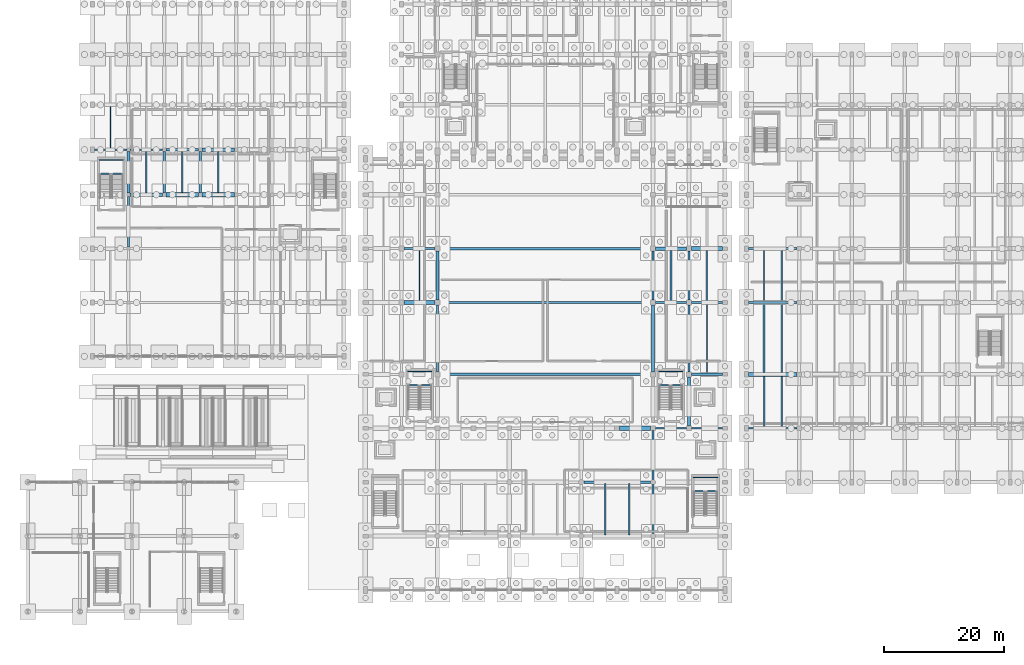
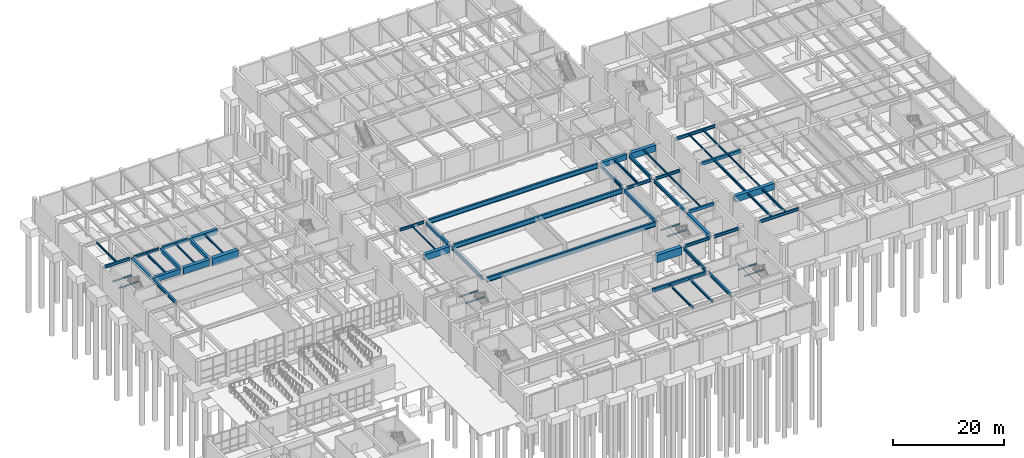
# One storey, part 36 of 69: 62 beams.
"""IFC4 building model written with IfcOpenShell, lengths in metres."""

from ifc_helpers import new_model, si_unit, direction, frame, origin, origin_2d, place, context, subcontext, project, spatial, rectangle, i_section, extrude, material, material_profile, profile_set, type_object, element, save


model = new_model("IFC4")

# Units and contexts
model_context = context("Model", 3, precision=1e-05, world=origin(), true_north=direction((0.0, 1.0)))
body_context = subcontext(model_context, "Body", "Model", "MODEL_VIEW")
ifc_project = project(units=[si_unit("LENGTHUNIT", "METRE"), si_unit("AREAUNIT", "SQUARE_METRE"), si_unit("VOLUMEUNIT", "CUBIC_METRE"), si_unit("PLANEANGLEUNIT", "RADIAN"), si_unit("MASSUNIT", "GRAM", prefix="KILO")], contexts=[model_context])

# Site, building, storey
site_placement = place(None, origin())
site = spatial("IfcSite", under=ifc_project, at=site_placement, CompositionType="ELEMENT")
building_placement = place(site_placement, origin())
building = spatial("IfcBuilding", under=site, at=building_placement, Name="Vaelkrest Opera House", CompositionType="ELEMENT")
storey_placement = place(building_placement, frame((0.0, 0.0, -5.39990234375)))
storey = spatial("IfcBuildingStorey", under=building, at=storey_placement, Name="B1", CompositionType="ELEMENT", Elevation=-5.39990234375)

# Beams
ifc_material_1 = material(Name="Concrete C50/60", Category="concrete")
ifc_material_profile_1 = material_profile(ifc_material_1, rectangle(XDim=0.39990234375, YDim=0.64990234375, at=origin_2d()), Name="RCB400X650")
ifc_profile_set_1 = profile_set([ifc_material_profile_1], Name="Concrete C50/60")
beam_type_1 = type_object("IfcBeamType", Name="B01", PredefinedType="BEAM", material=ifc_profile_set_1)
beam_1_placement = place(storey_placement, frame((24.39990234375, -19.800048828125, 4.73486328125), z_axis=(1.0, 0.0, 0.0), x_axis=(0.0, 1.0, 0.0)))
element("IfcBeam", 1, at=beam_1_placement, inside=storey, type_object=beam_type_1, Name="Beam BM-V1-B1-0021", PredefinedType="BEAM", context=body_context, shape_type="SweptSolid", body=[
    extrude(rectangle(XDim=0.39990234375, YDim=0.64990234375, at=origin_2d()), origin(), (0.0, 0.0, 1.0), 5.150146484375),
])
beam_2_placement = place(storey_placement, frame((-63.324951171875, 17.699951171875, 4.7548828125), z_axis=(1.0, 0.0, 0.0), x_axis=(0.0, 1.0, 0.0)))
element("IfcBeam", 2, at=beam_2_placement, inside=storey, type_object=beam_type_1, Name="Beam BM-V3-B1-1301", PredefinedType="BEAM", context=body_context, shape_type="SweptSolid", body=[
    extrude(rectangle(XDim=0.39990234375, YDim=0.64990234375, at=origin_2d()), origin(), (0.0, 0.0, 1.0), 5.449951171875),
])
beam_3_placement = place(storey_placement, frame((33.89990234375, -7.800048828125, 4.679931640625), z_axis=(1.0, 0.0, 0.0), x_axis=(0.0, 1.0, 0.0)))
element("IfcBeam", 3, at=beam_3_placement, inside=storey, type_object=beam_type_1, Name="Beam BM-V4-B1-1837", PredefinedType="BEAM", context=body_context, shape_type="SweptSolid", body=[
    extrude(rectangle(XDim=0.39990234375, YDim=0.64990234375, at=origin_2d()), origin(), (0.0, 0.0, 1.0), 8.150146484375),
])
ifc_material_profile_2 = material_profile(ifc_material_1, rectangle(XDim=0.449951171875, YDim=0.75, at=origin_2d()), Name="RCB450X750")
ifc_profile_set_2 = profile_set([ifc_material_profile_2], Name="Concrete C50/60")
beam_type_2 = type_object("IfcBeamType", Name="B02", PredefinedType="BEAM", material=ifc_profile_set_2)
beam_4_placement = place(storey_placement, frame((-18.0, -7.39990234375, 4.684814453125), z_axis=(0.0, 1.0, 0.0), x_axis=(-1.0, 0.0, 0.0)))
element("IfcBeam", 4, at=beam_4_placement, inside=storey, type_object=beam_type_2, Name="Beam BM-V1-B1-0047", PredefinedType="BEAM", context=body_context, shape_type="SweptSolid", body=[
    extrude(rectangle(XDim=0.449951171875, YDim=0.75, at=origin_2d()), origin(), (0.0, 0.0, 1.0), 8.199951171875),
])
for number, where, z_axis, x_axis, name in (
    (5, (-69.60009765625, 10.47509765625, 4.704833984375), (0.0, 1.0, 0.0), (-1.0, 0.0, 0.0), "Beam BM-V3-B1-1323"),
    (6, (-63.60009765625, 10.47509765625, 4.704833984375), (0.0, 1.0, 0.0), (-1.0, 0.0, 0.0), "Beam BM-V3-B1-1327"),
    (7, (-57.60009765625, 10.47509765625, 4.704833984375), (0.0, 1.0, 0.0), (-1.0, 0.0, 0.0), "Beam BM-V3-B1-1331"),
):
    element("IfcBeam", number, at=place(storey_placement, frame(where, z_axis=z_axis, x_axis=x_axis)), inside=storey, type_object=beam_type_2, Name=name, PredefinedType="BEAM", context=body_context, shape_type="SweptSolid", body=[
        extrude(rectangle(XDim=0.449951171875, YDim=0.75, at=origin_2d()), origin(), (0.0, 0.0, 1.0), 6.949951171875),
    ])
ifc_material_profile_3 = material_profile(ifc_material_1, rectangle(XDim=0.5, YDim=0.85009765625, at=origin_2d()), Name="RCB500X850")
ifc_profile_set_3 = profile_set([ifc_material_profile_3], Name="Concrete C50/60")
beam_type_3 = type_object("IfcBeamType", Name="B03", PredefinedType="BEAM", material=ifc_profile_set_3)
beam_5_placement = place(storey_placement, frame((18.0, -19.39990234375, 4.635009765625), z_axis=(0.0, 1.0, 0.0), x_axis=(-1.0, 0.0, 0.0)))
element("IfcBeam", 8, at=beam_5_placement, inside=storey, type_object=beam_type_3, Name="Beam BM-V1-B1-0060", PredefinedType="BEAM", context=body_context, shape_type="SweptSolid", body=[
    extrude(rectangle(XDim=0.5, YDim=0.85009765625, at=origin_2d()), origin(), (0.0, 0.0, 1.0), 11.199951171875),
])
beam_6_placement = place(storey_placement, frame((24.0, -28.39990234375, 4.635009765625), z_axis=(0.0, 1.0, 0.0), x_axis=(-1.0, 0.0, 0.0)))
element("IfcBeam", 9, at=beam_6_placement, inside=storey, type_object=beam_type_3, Name="Beam BM-V1-B1-0064", PredefinedType="BEAM", context=body_context, shape_type="SweptSolid", body=[
    extrude(rectangle(XDim=0.5, YDim=0.85009765625, at=origin_2d()), origin(), (0.0, 0.0, 1.0), 8.199951171875),
])
ifc_material_profile_4 = material_profile(ifc_material_1, rectangle(XDim=0.60009765625, YDim=1.10009765625, at=origin_2d()), Name="RCB600X1100")
ifc_profile_set_4 = profile_set([ifc_material_profile_4], Name="Concrete C50/60")
beam_type_4 = type_object("IfcBeamType", Name="B05", PredefinedType="BEAM", material=ifc_profile_set_4)
beam_7_placement = place(storey_placement, frame((18.39990234375, 1.199951171875, 4.510009765625), z_axis=(1.0, 0.0, 0.0), x_axis=(0.0, 1.0, 0.0)))
element("IfcBeam", 10, at=beam_7_placement, inside=storey, type_object=beam_type_4, Name="Beam BM-V1-B1-0030", PredefinedType="BEAM", context=body_context, shape_type="SweptSolid", body=[
    extrude(rectangle(XDim=0.60009765625, YDim=1.10009765625, at=origin_2d()), origin(), (0.0, 0.0, 1.0), 5.2001953125),
])
for number, where, z_axis, x_axis, name in (
    (11, (-69.324951171875, 10.199951171875, 4.52978515625), (1.0, 0.0, 0.0), (0.0, 1.0, 0.0), "Beam BM-V3-B1-1294"),
    (12, (-57.324951171875, 17.699951171875, 4.52978515625), (1.0, 0.0, 0.0), (0.0, 1.0, 0.0), "Beam BM-V3-B1-1302"),
):
    element("IfcBeam", number, at=place(storey_placement, frame(where, z_axis=z_axis, x_axis=x_axis)), inside=storey, type_object=beam_type_4, Name=name, PredefinedType="BEAM", context=body_context, shape_type="SweptSolid", body=[
        extrude(rectangle(XDim=0.60009765625, YDim=1.10009765625, at=origin_2d()), origin(), (0.0, 0.0, 1.0), 5.449951171875),
    ])
ifc_material_profile_5 = material_profile(ifc_material_1, rectangle(XDim=0.699951171875, YDim=1.35009765625, at=origin_2d()), Name="RCB700X1350")
ifc_profile_set_5 = profile_set([ifc_material_profile_5], Name="Concrete C50/60")
beam_type_5 = type_object("IfcBeamType", Name="B06", PredefinedType="BEAM", material=ifc_profile_set_5)
beam_8_placement = place(storey_placement, frame((-23.60009765625, -7.800048828125, 4.385009765625), z_axis=(1.0, 0.0, 0.0), x_axis=(0.0, 1.0, 0.0)))
element("IfcBeam", 13, at=beam_8_placement, inside=storey, type_object=beam_type_5, Name="Beam BM-V1-B1-0023", PredefinedType="BEAM", context=body_context, shape_type="SweptSolid", body=[
    extrude(rectangle(XDim=0.699951171875, YDim=1.35009765625, at=origin_2d()), origin(), (0.0, 0.0, 1.0), 5.2001953125),
])
beam_9_placement = place(storey_placement, frame((24.39990234375, 1.199951171875, 4.385009765625), z_axis=(1.0, 0.0, 0.0), x_axis=(0.0, 1.0, 0.0)))
element("IfcBeam", 14, at=beam_9_placement, inside=storey, type_object=beam_type_5, Name="Beam BM-V1-B1-0031", PredefinedType="BEAM", context=body_context, shape_type="SweptSolid", body=[
    extrude(rectangle(XDim=0.699951171875, YDim=1.35009765625, at=origin_2d()), origin(), (0.0, 0.0, 1.0), 5.150146484375),
])
beam_10_placement = place(storey_placement, frame((-63.324951171875, 10.199951171875, 4.40478515625), z_axis=(1.0, 0.0, 0.0), x_axis=(0.0, 1.0, 0.0)))
element("IfcBeam", 15, at=beam_10_placement, inside=storey, type_object=beam_type_5, Name="Beam BM-V3-B1-1295", PredefinedType="BEAM", context=body_context, shape_type="SweptSolid", body=[
    extrude(rectangle(XDim=0.699951171875, YDim=1.35009765625, at=origin_2d()), origin(), (0.0, 0.0, 1.0), 5.449951171875),
])
beam_11_placement = place(storey_placement, frame((33.89990234375, -19.800048828125, 4.329833984375), z_axis=(1.0, 0.0, 0.0), x_axis=(0.0, 1.0, 0.0)))
element("IfcBeam", 16, at=beam_11_placement, inside=storey, type_object=beam_type_5, Name="Beam BM-V4-B1-1831", PredefinedType="BEAM", context=body_context, shape_type="SweptSolid", body=[
    extrude(rectangle(XDim=0.699951171875, YDim=1.35009765625, at=origin_2d()), origin(), (0.0, 0.0, 1.0), 8.150146484375),
])
ifc_material_profile_6 = material_profile(ifc_material_1, rectangle(XDim=0.800048828125, YDim=1.64990234375, at=origin_2d()), Name="RCB800X1650")
ifc_profile_set_6 = profile_set([ifc_material_profile_6], Name="Concrete C50/60")
beam_type_6 = type_object("IfcBeamType", Name="B07", PredefinedType="BEAM", material=ifc_profile_set_6)
beam_12_placement = place(storey_placement, frame((12.39990234375, -28.800048828125, 4.23486328125), z_axis=(1.0, 0.0, 0.0), x_axis=(0.0, 1.0, 0.0)))
element("IfcBeam", 17, at=beam_12_placement, inside=storey, type_object=beam_type_6, Name="Beam BM-V1-B1-0016", PredefinedType="BEAM", context=body_context, shape_type="SweptSolid", body=[
    extrude(rectangle(XDim=0.800048828125, YDim=1.64990234375, at=origin_2d()), origin(), (0.0, 0.0, 1.0), 5.2001953125),
])
beam_13_placement = place(storey_placement, frame((-57.324951171875, 10.199951171875, 4.2548828125), z_axis=(1.0, 0.0, 0.0), x_axis=(0.0, 1.0, 0.0)))
element("IfcBeam", 18, at=beam_13_placement, inside=storey, type_object=beam_type_6, Name="Beam BM-V3-B1-1296", PredefinedType="BEAM", context=body_context, shape_type="SweptSolid", body=[
    extrude(rectangle(XDim=0.800048828125, YDim=1.64990234375, at=origin_2d()), origin(), (0.0, 0.0, 1.0), 5.449951171875),
])
ifc_material_2 = material(Name="Steel A992 Gr50", Category="steel")
ifc_material_profile_7 = material_profile(ifc_material_2, i_section(OverallWidth=0.323974609375, OverallDepth=0.611083984375, WebThickness=0.0126953125, FlangeThickness=0.01904296875, at=origin_2d()), Name="W24X104")
ifc_profile_set_7 = profile_set([ifc_material_profile_7], Name="Steel A992 Gr50")
beam_type_7 = type_object("IfcBeamType", Name="B08", PredefinedType="BEAM", material=ifc_profile_set_7)
for number, where, z_axis, x_axis, name in (
    (19, (18.39990234375, -28.800048828125, 4.75439453125), (1.0, 0.0, 0.0), (0.0, 1.0, 0.0), "Beam BM-V1-B1-0017"),
    (20, (18.39990234375, -7.800048828125, 4.75439453125), (1.0, 0.0, 0.0), (0.0, 1.0, 0.0), "Beam BM-V1-B1-0025"),
):
    element("IfcBeam", number, at=place(storey_placement, frame(where, z_axis=z_axis, x_axis=x_axis)), inside=storey, type_object=beam_type_7, Name=name, PredefinedType="BEAM", context=body_context, shape_type="SweptSolid", body=[
        extrude(i_section(OverallWidth=0.323974609375, OverallDepth=0.611083984375, WebThickness=0.0126953125, FlangeThickness=0.01904296875, at=origin_2d()), origin(), (0.0, 0.0, 1.0), 5.2001953125),
    ])
beam_14_placement = place(storey_placement, frame((33.89990234375, -28.800048828125, 4.699462890625), z_axis=(1.0, 0.0, 0.0), x_axis=(0.0, 1.0, 0.0)))
element("IfcBeam", 21, at=beam_14_placement, inside=storey, type_object=beam_type_7, Name="Beam BM-V4-B1-1825", PredefinedType="BEAM", context=body_context, shape_type="SweptSolid", body=[
    extrude(i_section(OverallWidth=0.323974609375, OverallDepth=0.611083984375, WebThickness=0.0126953125, FlangeThickness=0.01904296875, at=origin_2d()), origin(), (0.0, 0.0, 1.0), 8.150146484375),
])
ifc_material_profile_8 = material_profile(ifc_material_2, i_section(OverallWidth=0.327880859375, OverallDepth=0.6279296875, WebThickness=0.0166015625, FlangeThickness=0.027587890625, at=origin_2d()), Name="W24X146")
ifc_profile_set_8 = profile_set([ifc_material_profile_8], Name="Steel A992 Gr50")
beam_type_8 = type_object("IfcBeamType", Name="B09", PredefinedType="BEAM", material=ifc_profile_set_8)
for number, where, z_axis, x_axis, name in (
    (22, (24.39990234375, -28.800048828125, 4.745849609375), (1.0, 0.0, 0.0), (0.0, 1.0, 0.0), "Beam BM-V1-B1-0018"),
    (23, (24.39990234375, -7.800048828125, 4.745849609375), (1.0, 0.0, 0.0), (0.0, 1.0, 0.0), "Beam BM-V1-B1-0026"),
):
    element("IfcBeam", number, at=place(storey_placement, frame(where, z_axis=z_axis, x_axis=x_axis)), inside=storey, type_object=beam_type_8, Name=name, PredefinedType="BEAM", context=body_context, shape_type="SweptSolid", body=[
        extrude(i_section(OverallWidth=0.327880859375, OverallDepth=0.6279296875, WebThickness=0.0166015625, FlangeThickness=0.027587890625, at=origin_2d()), origin(), (0.0, 0.0, 1.0), 5.150146484375),
    ])
ifc_material_profile_9 = material_profile(ifc_material_2, i_section(OverallWidth=0.35498046875, OverallDepth=0.695068359375, WebThickness=0.015380859375, FlangeThickness=0.02490234375, at=origin_2d()), Name="W27X146")
ifc_profile_set_9 = profile_set([ifc_material_profile_9], Name="Steel A992 Gr50")
beam_type_9 = type_object("IfcBeamType", Name="B10", PredefinedType="BEAM", material=ifc_profile_set_9)
beam_15_placement = place(storey_placement, frame((18.0, -46.375, 4.71240234375), z_axis=(0.0, 1.0, 0.0), x_axis=(-1.0, 0.0, 0.0)))
element("IfcBeam", 24, at=beam_15_placement, inside=storey, type_object=beam_type_9, Name="Beam BM-V1-B1-0057", PredefinedType="BEAM", context=body_context, shape_type="SweptSolid", body=[
    extrude(i_section(OverallWidth=0.35498046875, OverallDepth=0.695068359375, WebThickness=0.015380859375, FlangeThickness=0.02490234375, at=origin_2d()), origin(), (0.0, 0.0, 1.0), 8.14990234375),
])
beam_16_placement = place(storey_placement, frame((18.0, -7.39990234375, 4.71240234375), z_axis=(0.0, 1.0, 0.0), x_axis=(-1.0, 0.0, 0.0)))
element("IfcBeam", 25, at=beam_16_placement, inside=storey, type_object=beam_type_9, Name="Beam BM-V1-B1-0061", PredefinedType="BEAM", context=body_context, shape_type="SweptSolid", body=[
    extrude(i_section(OverallWidth=0.35498046875, OverallDepth=0.695068359375, WebThickness=0.015380859375, FlangeThickness=0.02490234375, at=origin_2d()), origin(), (0.0, 0.0, 1.0), 8.199951171875),
])
beam_17_placement = place(storey_placement, frame((24.0, -19.39990234375, 4.71240234375), z_axis=(0.0, 1.0, 0.0), x_axis=(-1.0, 0.0, 0.0)))
element("IfcBeam", 26, at=beam_17_placement, inside=storey, type_object=beam_type_9, Name="Beam BM-V1-B1-0065", PredefinedType="BEAM", context=body_context, shape_type="SweptSolid", body=[
    extrude(i_section(OverallWidth=0.35498046875, OverallDepth=0.695068359375, WebThickness=0.015380859375, FlangeThickness=0.02490234375, at=origin_2d()), origin(), (0.0, 0.0, 1.0), 11.199951171875),
])
ifc_material_profile_10 = material_profile(ifc_material_2, i_section(OverallWidth=0.35791015625, OverallDepth=0.7060546875, WebThickness=0.018310546875, FlangeThickness=0.0302734375, at=origin_2d()), Name="W27X178")
ifc_profile_set_10 = profile_set([ifc_material_profile_10], Name="Steel A992 Gr50")
beam_type_10 = type_object("IfcBeamType", Name="B14", PredefinedType="BEAM", material=ifc_profile_set_10)
beam_18_placement = place(storey_placement, frame((-18.0, -19.39990234375, 4.706787109375), z_axis=(0.0, 1.0, 0.0), x_axis=(-1.0, 0.0, 0.0)))
element("IfcBeam", 27, at=beam_18_placement, inside=storey, type_object=beam_type_10, Name="Beam BM-V1-B1-0046", PredefinedType="BEAM", context=body_context, shape_type="SweptSolid", body=[
    extrude(i_section(OverallWidth=0.35791015625, OverallDepth=0.7060546875, WebThickness=0.018310546875, FlangeThickness=0.0302734375, at=origin_2d()), origin(), (0.0, 0.0, 1.0), 11.199951171875),
])
beam_19_placement = place(storey_placement, frame((18.0, -37.375, 4.706787109375), z_axis=(0.0, 1.0, 0.0), x_axis=(-1.0, 0.0, 0.0)))
element("IfcBeam", 28, at=beam_19_placement, inside=storey, type_object=beam_type_10, Name="Beam BM-V1-B1-0058", PredefinedType="BEAM", context=body_context, shape_type="SweptSolid", body=[
    extrude(i_section(OverallWidth=0.35791015625, OverallDepth=0.7060546875, WebThickness=0.018310546875, FlangeThickness=0.0302734375, at=origin_2d()), origin(), (0.0, 0.0, 1.0), 8.175048828125),
])
beam_20_placement = place(storey_placement, frame((24.0, -7.39990234375, 4.706787109375), z_axis=(0.0, 1.0, 0.0), x_axis=(-1.0, 0.0, 0.0)))
element("IfcBeam", 29, at=beam_20_placement, inside=storey, type_object=beam_type_10, Name="Beam BM-V1-B1-0066", PredefinedType="BEAM", context=body_context, shape_type="SweptSolid", body=[
    extrude(i_section(OverallWidth=0.35791015625, OverallDepth=0.7060546875, WebThickness=0.018310546875, FlangeThickness=0.0302734375, at=origin_2d()), origin(), (0.0, 0.0, 1.0), 8.199951171875),
])
beam_21_placement = place(storey_placement, frame((-69.60009765625, 1.47509765625, 4.726806640625), z_axis=(0.0, 1.0, 0.0), x_axis=(-1.0, 0.0, 0.0)))
element("IfcBeam", 30, at=beam_21_placement, inside=storey, type_object=beam_type_10, Name="Beam BM-V3-B1-1322", PredefinedType="BEAM", context=body_context, shape_type="SweptSolid", body=[
    extrude(i_section(OverallWidth=0.35791015625, OverallDepth=0.7060546875, WebThickness=0.018310546875, FlangeThickness=0.0302734375, at=origin_2d()), origin(), (0.0, 0.0, 1.0), 8.449951171875),
])
ifc_material_profile_11 = material_profile(ifc_material_2, i_section(OverallWidth=0.39990234375, OverallDepth=1.02197265625, WebThickness=0.01904296875, FlangeThickness=0.0361328125, at=origin_2d()), Name="W40X249")
ifc_profile_set_11 = profile_set([ifc_material_profile_11], Name="Steel A992 Gr50")
beam_type_11 = type_object("IfcBeamType", Name="B15", PredefinedType="BEAM", material=ifc_profile_set_11)
for number, where, z_axis, x_axis, name in (
    (31, (-17.60009765625, -19.800048828125, 4.548828125), (1.0, 0.0, 0.0), (0.0, 1.0, 0.0), "Beam BM-V1-B1-0020"),
    (32, (-17.60009765625, -7.800048828125, 4.548828125), (1.0, 0.0, 0.0), (0.0, 1.0, 0.0), "Beam BM-V1-B1-0024"),
    (33, (-17.60009765625, 1.199951171875, 4.548828125), (1.0, 0.0, 0.0), (0.0, 1.0, 0.0), "Beam BM-V1-B1-0029"),
):
    element("IfcBeam", number, at=place(storey_placement, frame(where, z_axis=z_axis, x_axis=x_axis)), inside=storey, type_object=beam_type_11, Name=name, PredefinedType="BEAM", context=body_context, shape_type="SweptSolid", body=[
        extrude(i_section(OverallWidth=0.39990234375, OverallDepth=1.02197265625, WebThickness=0.01904296875, FlangeThickness=0.0361328125, at=origin_2d()), origin(), (0.0, 0.0, 1.0), 35.2001953125),
    ])
ifc_material_profile_12 = material_profile(ifc_material_2, i_section(OverallWidth=0.384033203125, OverallDepth=0.785888671875, WebThickness=0.019775390625, FlangeThickness=0.033447265625, at=origin_2d()), Name="W30X211")
ifc_profile_set_12 = profile_set([ifc_material_profile_12], Name="Steel A992 Gr50")
beam_type_12 = type_object("IfcBeamType", Name="B16", PredefinedType="BEAM", material=ifc_profile_set_12)
beam_22_placement = place(storey_placement, frame((6.425048828125, -37.800048828125, 4.6669921875), z_axis=(1.0, 0.0, 0.0), x_axis=(0.0, 1.0, 0.0)))
element("IfcBeam", 34, at=beam_22_placement, inside=storey, type_object=beam_type_12, Name="Beam BM-V1-B1-0008", PredefinedType="BEAM", context=body_context, shape_type="SweptSolid", body=[
    extrude(i_section(OverallWidth=0.384033203125, OverallDepth=0.785888671875, WebThickness=0.019775390625, FlangeThickness=0.033447265625, at=origin_2d()), origin(), (0.0, 0.0, 1.0), 11.14990234375),
])
ifc_material_profile_13 = material_profile(ifc_material_2, i_section(OverallWidth=0.326904296875, OverallDepth=0.6220703125, WebThickness=0.015380859375, FlangeThickness=0.0244140625, at=origin_2d()), Name="W24X131")
ifc_profile_set_13 = profile_set([ifc_material_profile_13], Name="Steel A992 Gr50")
beam_type_13 = type_object("IfcBeamType", Name="B19", PredefinedType="BEAM", material=ifc_profile_set_13)
beam_23_placement = place(storey_placement, frame((-75.300048828125, 17.699951171875, 4.768798828125), z_axis=(1.0, 0.0, 0.0), x_axis=(0.0, 1.0, 0.0)))
element("IfcBeam", 35, at=beam_23_placement, inside=storey, type_object=beam_type_13, Name="Beam BM-V3-B1-1299", PredefinedType="BEAM", context=body_context, shape_type="SweptSolid", body=[
    extrude(i_section(OverallWidth=0.326904296875, OverallDepth=0.6220703125, WebThickness=0.015380859375, FlangeThickness=0.0244140625, at=origin_2d()), origin(), (0.0, 0.0, 1.0), 5.425048828125),
])
beam_24_placement = place(storey_placement, frame((33.89990234375, 1.199951171875, 4.69384765625), z_axis=(1.0, 0.0, 0.0), x_axis=(0.0, 1.0, 0.0)))
element("IfcBeam", 36, at=beam_24_placement, inside=storey, type_object=beam_type_13, Name="Beam BM-V4-B1-1843", PredefinedType="BEAM", context=body_context, shape_type="SweptSolid", body=[
    extrude(i_section(OverallWidth=0.326904296875, OverallDepth=0.6220703125, WebThickness=0.015380859375, FlangeThickness=0.0244140625, at=origin_2d()), origin(), (0.0, 0.0, 1.0), 8.150146484375),
])
ifc_material_profile_14 = material_profile(ifc_material_2, i_section(OverallWidth=0.31494140625, OverallDepth=0.551025390625, WebThickness=0.01513671875, FlangeThickness=0.0244140625, at=origin_2d()), Name="W21X122")
ifc_profile_set_14 = profile_set([ifc_material_profile_14], Name="Steel A992 Gr50")
beam_type_14 = type_object("IfcBeamType", Name="B20", PredefinedType="BEAM", material=ifc_profile_set_14)
beam_25_placement = place(storey_placement, frame((-23.60009765625, 1.199951171875, 4.784423828125), z_axis=(1.0, 0.0, 0.0), x_axis=(0.0, 1.0, 0.0)))
element("IfcBeam", 37, at=beam_25_placement, inside=storey, type_object=beam_type_14, Name="Beam BM-V1-B1-0028", PredefinedType="BEAM", context=body_context, shape_type="SweptSolid", body=[
    extrude(i_section(OverallWidth=0.31494140625, OverallDepth=0.551025390625, WebThickness=0.01513671875, FlangeThickness=0.0244140625, at=origin_2d()), origin(), (0.0, 0.0, 1.0), 5.2001953125),
])
beam_26_placement = place(storey_placement, frame((-69.324951171875, 17.699951171875, 4.804443359375), z_axis=(1.0, 0.0, 0.0), x_axis=(0.0, 1.0, 0.0)))
element("IfcBeam", 38, at=beam_26_placement, inside=storey, type_object=beam_type_14, Name="Beam BM-V3-B1-1300", PredefinedType="BEAM", context=body_context, shape_type="SweptSolid", body=[
    extrude(i_section(OverallWidth=0.31494140625, OverallDepth=0.551025390625, WebThickness=0.01513671875, FlangeThickness=0.0244140625, at=origin_2d()), origin(), (0.0, 0.0, 1.0), 5.449951171875),
])
ifc_material_profile_15 = material_profile(ifc_material_2, i_section(OverallWidth=0.2041015625, OverallDepth=0.257080078125, WebThickness=0.0087890625, FlangeThickness=0.015625, at=origin_2d()), Name="W10X45")
ifc_profile_set_15 = profile_set([ifc_material_profile_15], Name="Steel A992 Gr50")
beam_type_15 = type_object("IfcBeamType", Name="J01", PredefinedType="JOIST", material=ifc_profile_set_15)
beam_27_placement = place(storey_placement, frame((39.467041015625, -19.449951171875, 4.87646484375), z_axis=(0.0, 1.0, 0.0), x_axis=(-1.0, 0.0, 0.0)))
element("IfcBeam", 39, at=beam_27_placement, inside=storey, type_object=beam_type_15, Name="Floor joist JST-V4-B1-1901", PredefinedType="JOIST", context=body_context, shape_type="SweptSolid", body=[
    extrude(i_section(OverallWidth=0.2041015625, OverallDepth=0.257080078125, WebThickness=0.0087890625, FlangeThickness=0.015625, at=origin_2d()), origin(), (0.0, 0.0, 1.0), 11.449951171875),
])
ifc_material_profile_16 = material_profile(ifc_material_2, i_section(OverallWidth=0.202880859375, OverallDepth=0.302978515625, WebThickness=0.007568359375, FlangeThickness=0.01318359375, at=origin_2d()), Name="W12X40")
ifc_profile_set_16 = profile_set([ifc_material_profile_16], Name="Steel A992 Gr50")
beam_type_16 = type_object("IfcBeamType", Name="J02", PredefinedType="JOIST", material=ifc_profile_set_16)
beam_28_placement = place(storey_placement, frame((-21.0, -7.449951171875, 4.908447265625), z_axis=(0.0, 1.0, 0.0), x_axis=(-1.0, 0.0, 0.0)))
element("IfcBeam", 40, at=beam_28_placement, inside=storey, type_object=beam_type_16, Name="Floor joist JST-V1-B1-0072", PredefinedType="JOIST", context=body_context, shape_type="SweptSolid", body=[
    extrude(i_section(OverallWidth=0.202880859375, OverallDepth=0.302978515625, WebThickness=0.007568359375, FlangeThickness=0.01318359375, at=origin_2d()), origin(), (0.0, 0.0, 1.0), 8.492431640625),
])
beam_29_placement = place(storey_placement, frame((27.0, -19.60009765625, 4.908447265625), z_axis=(0.0, 1.0, 0.0), x_axis=(-1.0, 0.0, 0.0)))
element("IfcBeam", 41, at=beam_29_placement, inside=storey, type_object=beam_type_16, Name="Floor joist JST-V1-B1-0082", PredefinedType="JOIST", context=body_context, shape_type="SweptSolid", body=[
    extrude(i_section(OverallWidth=0.202880859375, OverallDepth=0.302978515625, WebThickness=0.007568359375, FlangeThickness=0.01318359375, at=origin_2d()), origin(), (0.0, 0.0, 1.0), 11.635986328125),
])
beam_30_placement = place(storey_placement, frame((-60.60009765625, 10.550048828125, 4.928466796875), z_axis=(0.0, 1.0, 0.0), x_axis=(-1.0, 0.0, 0.0)))
element("IfcBeam", 42, at=beam_30_placement, inside=storey, type_object=beam_type_16, Name="Floor joist JST-V3-B1-1362", PredefinedType="JOIST", context=body_context, shape_type="SweptSolid", body=[
    extrude(i_section(OverallWidth=0.202880859375, OverallDepth=0.302978515625, WebThickness=0.007568359375, FlangeThickness=0.01318359375, at=origin_2d()), origin(), (0.0, 0.0, 1.0), 6.949951171875),
])
beam_31_placement = place(storey_placement, frame((36.532958984375, -7.60009765625, 4.853515625), z_axis=(0.0, 1.0, 0.0), x_axis=(-1.0, 0.0, 0.0)))
element("IfcBeam", 43, at=beam_31_placement, inside=storey, type_object=beam_type_16, Name="Floor joist JST-V4-B1-1902", PredefinedType="JOIST", context=body_context, shape_type="SweptSolid", body=[
    extrude(i_section(OverallWidth=0.202880859375, OverallDepth=0.302978515625, WebThickness=0.007568359375, FlangeThickness=0.01318359375, at=origin_2d()), origin(), (0.0, 0.0, 1.0), 8.63671875),
])
for number, where, z_axis, x_axis, name in (
    (44, (-23.02001953125, -21.610107421875, 2.348388671875), (1.0, 0.0, 0.0), (0.0, 1.0, 0.0), "Stair landing bearer beam ST01 B1-1N"),
    (45, (-23.02001953125, -19.320068359375, 2.348388671875), (1.0, 0.0, 0.0), (0.0, 1.0, 0.0), "Stair landing bearer beam ST01 B1-1F"),
    (46, (18.8798828125, -21.610107421875, 2.348388671875), (1.0, 0.0, 0.0), (0.0, 1.0, 0.0), "Stair landing bearer beam ST02 B1-1N"),
    (47, (18.8798828125, -19.320068359375, 2.348388671875), (1.0, 0.0, 0.0), (0.0, 1.0, 0.0), "Stair landing bearer beam ST02 B1-1F"),
    (48, (24.679931640625, -39.31005859375, 2.348388671875), (1.0, 0.0, 0.0), (0.0, 1.0, 0.0), "Stair landing bearer beam ST04 B1-1N"),
    (49, (24.679931640625, -37.02001953125, 2.348388671875), (1.0, 0.0, 0.0), (0.0, 1.0, 0.0), "Stair landing bearer beam ST04 B1-1F"),
    (50, (-74.52001953125, 13.68994140625, 2.348388671875), (1.0, 0.0, 0.0), (0.0, 1.0, 0.0), "Stair landing bearer beam ST07 B1-1N"),
    (51, (-74.52001953125, 15.97998046875, 2.348388671875), (1.0, 0.0, 0.0), (0.0, 1.0, 0.0), "Stair landing bearer beam ST07 B1-1F"),
):
    element("IfcBeam", number, at=place(storey_placement, frame(where, z_axis=z_axis, x_axis=x_axis)), inside=storey, type_object=beam_type_16, Name=name, PredefinedType="JOIST", context=body_context, shape_type="SweptSolid", body=[
        extrude(i_section(OverallWidth=0.202880859375, OverallDepth=0.302978515625, WebThickness=0.007568359375, FlangeThickness=0.01318359375, at=origin_2d()), origin(), (0.0, 0.0, 1.0), 4.14013671875),
    ])
ifc_material_profile_17 = material_profile(ifc_material_2, i_section(OverallWidth=0.25390625, OverallDepth=0.305908203125, WebThickness=0.0087890625, FlangeThickness=0.0146484375, at=origin_2d()), Name="W12X53")
ifc_profile_set_17 = profile_set([ifc_material_profile_17], Name="Steel A992 Gr50")
beam_type_17 = type_object("IfcBeamType", Name="J03", PredefinedType="JOIST", material=ifc_profile_set_17)
beam_32_placement = place(storey_placement, frame((27.0, -7.635986328125, 4.906982421875), z_axis=(0.0, 1.0, 0.0), x_axis=(-1.0, 0.0, 0.0)))
element("IfcBeam", 52, at=beam_32_placement, inside=storey, type_object=beam_type_17, Name="Floor joist JST-V1-B1-0083", PredefinedType="JOIST", context=body_context, shape_type="SweptSolid", body=[
    extrude(i_section(OverallWidth=0.25390625, OverallDepth=0.305908203125, WebThickness=0.0087890625, FlangeThickness=0.0146484375, at=origin_2d()), origin(), (0.0, 0.0, 1.0), 8.486083984375),
])
beam_33_placement = place(storey_placement, frame((39.467041015625, -7.60009765625, 4.851806640625), z_axis=(0.0, 1.0, 0.0), x_axis=(-1.0, 0.0, 0.0)))
element("IfcBeam", 53, at=beam_33_placement, inside=storey, type_object=beam_type_17, Name="Floor joist JST-V4-B1-1903", PredefinedType="JOIST", context=body_context, shape_type="SweptSolid", body=[
    extrude(i_section(OverallWidth=0.25390625, OverallDepth=0.305908203125, WebThickness=0.0087890625, FlangeThickness=0.0146484375, at=origin_2d()), origin(), (0.0, 0.0, 1.0), 8.63671875),
])
ifc_material_profile_18 = material_profile(ifc_material_2, i_section(OverallWidth=0.2548828125, OverallDepth=0.35693359375, WebThickness=0.010498046875, FlangeThickness=0.018310546875, at=origin_2d()), Name="W14X68")
ifc_profile_set_18 = profile_set([ifc_material_profile_18], Name="Steel A992 Gr50")
beam_type_18 = type_object("IfcBeamType", Name="J05", PredefinedType="JOIST", material=ifc_profile_set_18)
beam_34_placement = place(storey_placement, frame((-54.60009765625, 10.60009765625, 4.9013671875), z_axis=(0.0, 1.0, 0.0), x_axis=(-1.0, 0.0, 0.0)))
element("IfcBeam", 54, at=beam_34_placement, inside=storey, type_object=beam_type_18, Name="Floor joist JST-V3-B1-1365", PredefinedType="JOIST", context=body_context, shape_type="SweptSolid", body=[
    extrude(i_section(OverallWidth=0.2548828125, OverallDepth=0.35693359375, WebThickness=0.010498046875, FlangeThickness=0.018310546875, at=origin_2d()), origin(), (0.0, 0.0, 1.0), 6.7998046875),
])
ifc_material_profile_19 = material_profile(ifc_material_2, i_section(OverallWidth=0.180908203125, OverallDepth=0.4169921875, WebThickness=0.010986328125, FlangeThickness=0.018310546875, at=origin_2d()), Name="W16X57")
ifc_profile_set_19 = profile_set([ifc_material_profile_19], Name="Steel A992 Gr50")
beam_type_19 = type_object("IfcBeamType", Name="J07", PredefinedType="JOIST", material=ifc_profile_set_19)
beam_35_placement = place(storey_placement, frame((-72.60009765625, 17.863525390625, 4.871337890625), z_axis=(0.0, 1.0, 0.0), x_axis=(-1.0, 0.0, 0.0)))
element("IfcBeam", 55, at=beam_35_placement, inside=storey, type_object=beam_type_19, Name="Floor joist JST-V3-B1-1357", PredefinedType="JOIST", context=body_context, shape_type="SweptSolid", body=[
    extrude(i_section(OverallWidth=0.180908203125, OverallDepth=0.4169921875, WebThickness=0.010986328125, FlangeThickness=0.018310546875, at=origin_2d()), origin(), (0.0, 0.0, 1.0), 7.17236328125),
])
ifc_material_profile_20 = material_profile(ifc_material_2, i_section(OverallWidth=0.261962890625, OverallDepth=0.4189453125, WebThickness=0.01171875, FlangeThickness=0.019287109375, at=origin_2d()), Name="W16X77")
ifc_profile_set_20 = profile_set([ifc_material_profile_20], Name="Steel A992 Gr50")
beam_type_20 = type_object("IfcBeamType", Name="J08", PredefinedType="JOIST", material=ifc_profile_set_20)
beam_36_placement = place(storey_placement, frame((10.0, -46.60791015625, 4.850341796875), z_axis=(0.0, 1.0, 0.0), x_axis=(-1.0, 0.0, 0.0)))
element("IfcBeam", 56, at=beam_36_placement, inside=storey, type_object=beam_type_20, Name="Floor joist JST-V1-B1-0078", PredefinedType="JOIST", context=body_context, shape_type="SweptSolid", body=[
    extrude(i_section(OverallWidth=0.261962890625, OverallDepth=0.4189453125, WebThickness=0.01171875, FlangeThickness=0.019287109375, at=origin_2d()), origin(), (0.0, 0.0, 1.0), 8.615966796875),
])
beam_37_placement = place(storey_placement, frame((36.532958984375, -28.637939453125, 4.79541015625), z_axis=(0.0, 1.0, 0.0), x_axis=(-1.0, 0.0, 0.0)))
element("IfcBeam", 57, at=beam_37_placement, inside=storey, type_object=beam_type_20, Name="Floor joist JST-V4-B1-1898", PredefinedType="JOIST", context=body_context, shape_type="SweptSolid", body=[
    extrude(i_section(OverallWidth=0.261962890625, OverallDepth=0.4189453125, WebThickness=0.01171875, FlangeThickness=0.019287109375, at=origin_2d()), origin(), (0.0, 0.0, 1.0), 8.488037109375),
])
ifc_material_profile_21 = material_profile(ifc_material_2, i_section(OverallWidth=0.280029296875, OverallDepth=0.462890625, WebThickness=0.0107421875, FlangeThickness=0.017333984375, at=origin_2d()), Name="W18X76")
ifc_profile_set_21 = profile_set([ifc_material_profile_21], Name="Steel A992 Gr50")
beam_type_21 = type_object("IfcBeamType", Name="J09", PredefinedType="JOIST", material=ifc_profile_set_21)
beam_38_placement = place(storey_placement, frame((14.0, -46.60791015625, 4.828369140625), z_axis=(0.0, 1.0, 0.0), x_axis=(-1.0, 0.0, 0.0)))
element("IfcBeam", 58, at=beam_38_placement, inside=storey, type_object=beam_type_21, Name="Floor joist JST-V1-B1-0079", PredefinedType="JOIST", context=body_context, shape_type="SweptSolid", body=[
    extrude(i_section(OverallWidth=0.280029296875, OverallDepth=0.462890625, WebThickness=0.0107421875, FlangeThickness=0.017333984375, at=origin_2d()), origin(), (0.0, 0.0, 1.0), 8.615966796875),
])
beam_39_placement = place(storey_placement, frame((-66.60009765625, 10.5, 4.848388671875), z_axis=(0.0, 1.0, 0.0), x_axis=(-1.0, 0.0, 0.0)))
element("IfcBeam", 59, at=beam_39_placement, inside=storey, type_object=beam_type_21, Name="Floor joist JST-V3-B1-1359", PredefinedType="JOIST", context=body_context, shape_type="SweptSolid", body=[
    extrude(i_section(OverallWidth=0.280029296875, OverallDepth=0.462890625, WebThickness=0.0107421875, FlangeThickness=0.017333984375, at=origin_2d()), origin(), (0.0, 0.0, 1.0), 7.04248046875),
])
beam_40_placement = place(storey_placement, frame((39.467041015625, -28.637939453125, 4.7734375), z_axis=(0.0, 1.0, 0.0), x_axis=(-1.0, 0.0, 0.0)))
element("IfcBeam", 60, at=beam_40_placement, inside=storey, type_object=beam_type_21, Name="Floor joist JST-V4-B1-1899", PredefinedType="JOIST", context=body_context, shape_type="SweptSolid", body=[
    extrude(i_section(OverallWidth=0.280029296875, OverallDepth=0.462890625, WebThickness=0.0107421875, FlangeThickness=0.017333984375, at=origin_2d()), origin(), (0.0, 0.0, 1.0), 8.488037109375),
])
ifc_material_profile_22 = material_profile(ifc_material_2, i_section(OverallWidth=0.282958984375, OverallDepth=0.471923828125, WebThickness=0.013671875, FlangeThickness=0.022216796875, at=origin_2d()), Name="W18X97")
ifc_profile_set_22 = profile_set([ifc_material_profile_22], Name="Steel A992 Gr50")
beam_type_22 = type_object("IfcBeamType", Name="J10", PredefinedType="JOIST", material=ifc_profile_set_22)
beam_41_placement = place(storey_placement, frame((21.0, -7.637939453125, 4.823974609375), z_axis=(0.0, 1.0, 0.0), x_axis=(-1.0, 0.0, 0.0)))
element("IfcBeam", 61, at=beam_41_placement, inside=storey, type_object=beam_type_22, Name="Floor joist JST-V1-B1-0080", PredefinedType="JOIST", context=body_context, shape_type="SweptSolid", body=[
    extrude(i_section(OverallWidth=0.282958984375, OverallDepth=0.471923828125, WebThickness=0.013671875, FlangeThickness=0.022216796875, at=origin_2d()), origin(), (0.0, 0.0, 1.0), 8.537841796875),
])
beam_42_placement = place(storey_placement, frame((36.532958984375, -19.449951171875, 4.768798828125), z_axis=(0.0, 1.0, 0.0), x_axis=(-1.0, 0.0, 0.0)))
element("IfcBeam", 62, at=beam_42_placement, inside=storey, type_object=beam_type_22, Name="Floor joist JST-V4-B1-1900", PredefinedType="JOIST", context=body_context, shape_type="SweptSolid", body=[
    extrude(i_section(OverallWidth=0.282958984375, OverallDepth=0.471923828125, WebThickness=0.013671875, FlangeThickness=0.022216796875, at=origin_2d()), origin(), (0.0, 0.0, 1.0), 11.449951171875),
])

save(model, "model.ifc")
